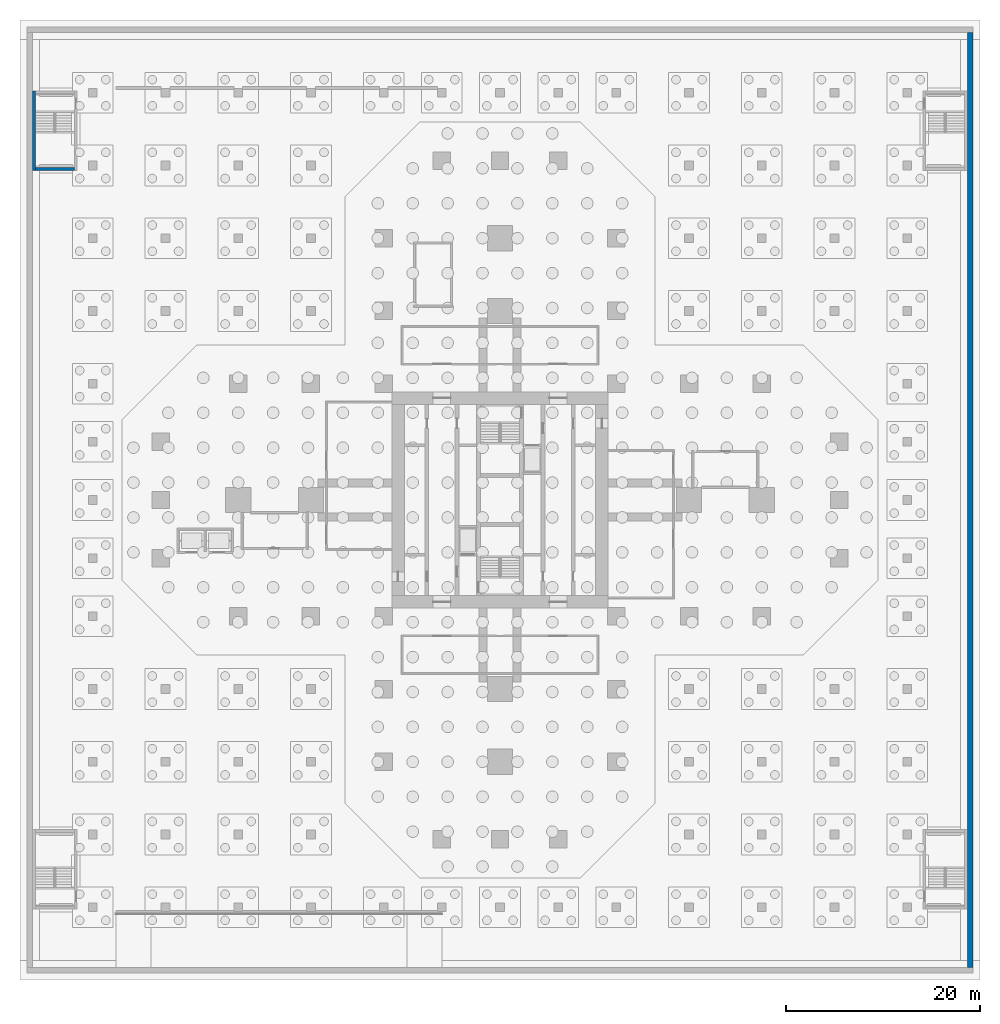
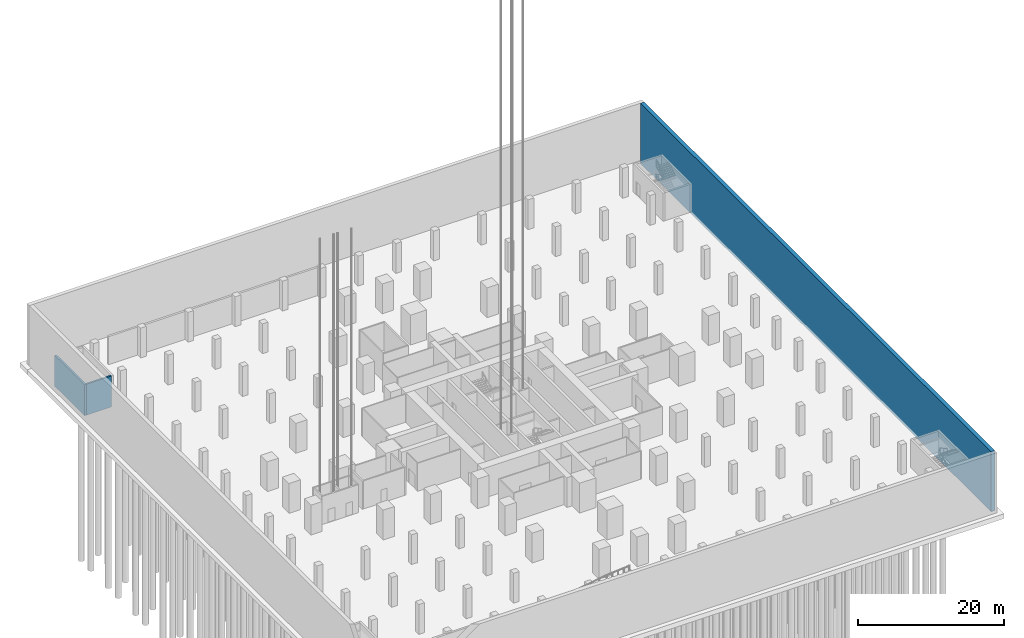
# One storey, part 12 of 31: 3 walls.
"""IFC4 building model written with IfcOpenShell, lengths in metres."""

from ifc_helpers import new_model, si_unit, direction, frame, frame_2d, origin, place, context, subcontext, project, spatial, rectangle, extrude, material, layer, layer_set, type_object, element, save


model = new_model("IFC4")

# Units and contexts
model_context = context("Model", 3, precision=1e-05, world=origin(), true_north=direction((0.0, 1.0)))
body_context = subcontext(model_context, "Body", "Model", "MODEL_VIEW")
ifc_project = project(units=[si_unit("LENGTHUNIT", "METRE"), si_unit("AREAUNIT", "SQUARE_METRE"), si_unit("VOLUMEUNIT", "CUBIC_METRE"), si_unit("PLANEANGLEUNIT", "RADIAN"), si_unit("MASSUNIT", "GRAM", prefix="KILO")], contexts=[model_context])

# Site, building, storey
site_placement = place(None, origin())
site = spatial("IfcSite", under=ifc_project, at=site_placement, CompositionType="ELEMENT")
building_placement = place(site_placement, origin())
building = spatial("IfcBuilding", under=site, at=building_placement, Name="Mizan Broadcast Tower", CompositionType="ELEMENT")
storey_placement = place(building_placement, frame((0.0, 0.0, -10.0)))
storey = spatial("IfcBuildingStorey", under=building, at=storey_placement, Name="B2", CompositionType="ELEMENT", Elevation=-10.0)

# Walls
ifc_material_1 = material(Name="Concrete C70/85", Category="concrete")
ifc_layer_1 = layer(ifc_material_1, 0.60009765625)
ifc_layer_set_1 = layer_set([ifc_layer_1], Name="Concrete C70/85")
wall_type_1 = type_object("IfcWallType", Name="RETAINING WALL 600", PredefinedType="SOLIDWALL", material=ifc_layer_set_1)
wall_1_placement = place(storey_placement, frame((48.5, -48.199951171875, -0.5), z_axis=(0.0, 0.0, 1.0), x_axis=(0.0, 1.0, 0.0)))
element("IfcWall", 1, at=wall_1_placement, inside=storey, type_object=wall_type_1, Name="Retaining wall RW1 E", PredefinedType="SOLIDWALL", context=body_context, shape_type="SweptSolid", body=[
    extrude(rectangle(XDim=96.39990234375, YDim=0.60009765625, at=frame_2d((48.199951171875, 0.0))), origin(), (0.0, 0.0, 1.0), 10.10009765625),
])
ifc_material_2 = material(Name="Concrete C40/50", Category="concrete")
ifc_layer_2 = layer(ifc_material_2, 0.300048828125)
ifc_layer_set_2 = layer_set([ifc_layer_2], Name="Concrete C40/50")
wall_type_2 = type_object("IfcWallType", Name="STAIR SHAFT WALL 300 RC", PredefinedType="SOLIDWALL", material=ifc_layer_set_2)
wall_2_placement = place(storey_placement, frame((-48.050048828125, 34.0, -0.5), z_axis=(0.0, 0.0, 1.0), x_axis=(0.0, 1.0, 0.0)))
element("IfcWall", 2, at=wall_2_placement, inside=storey, type_object=wall_type_2, Name="Stair shaft wall F O", PredefinedType="SOLIDWALL", context=body_context, shape_type="SweptSolid", body=[
    extrude(rectangle(XDim=8.199951171875, YDim=0.300048828125, at=frame_2d((4.10009765625, 0.0))), origin(), (0.0, 0.0, 1.0), 5.199951171875),
])
wall_3_placement = place(storey_placement, frame((-47.89990234375, 34.14990234375, -0.5), z_axis=(0.0, 0.0, 1.0), x_axis=(1.0, 0.0, 0.0)))
element("IfcWall", 3, at=wall_3_placement, inside=storey, type_object=wall_type_2, Name="Stair shaft wall F F", PredefinedType="SOLIDWALL", context=body_context, shape_type="SweptSolid", body=[
    extrude(rectangle(XDim=4.0, YDim=0.300048828125, at=frame_2d((2.0, 0.0))), origin(), (0.0, 0.0, 1.0), 5.199951171875),
])

save(model, "model.ifc")
